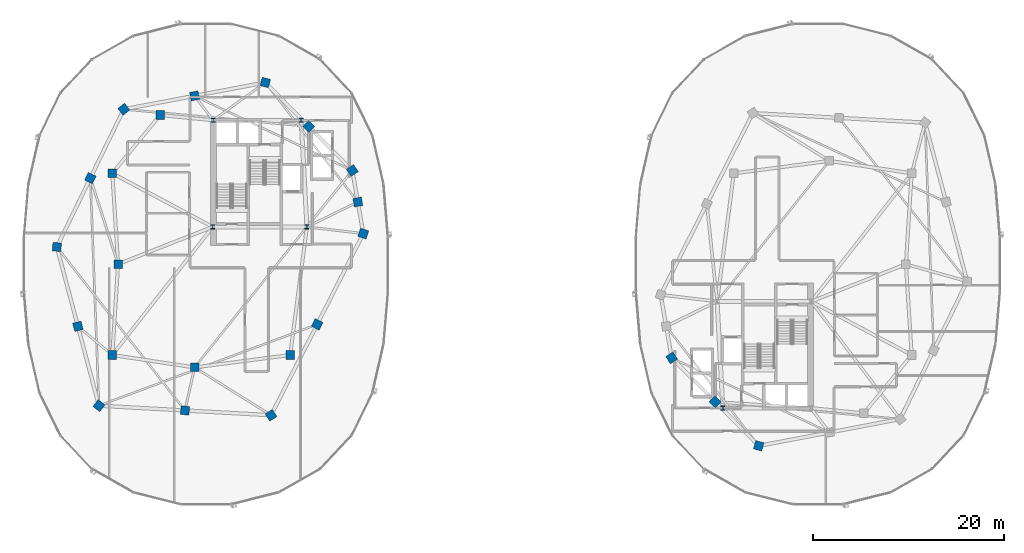
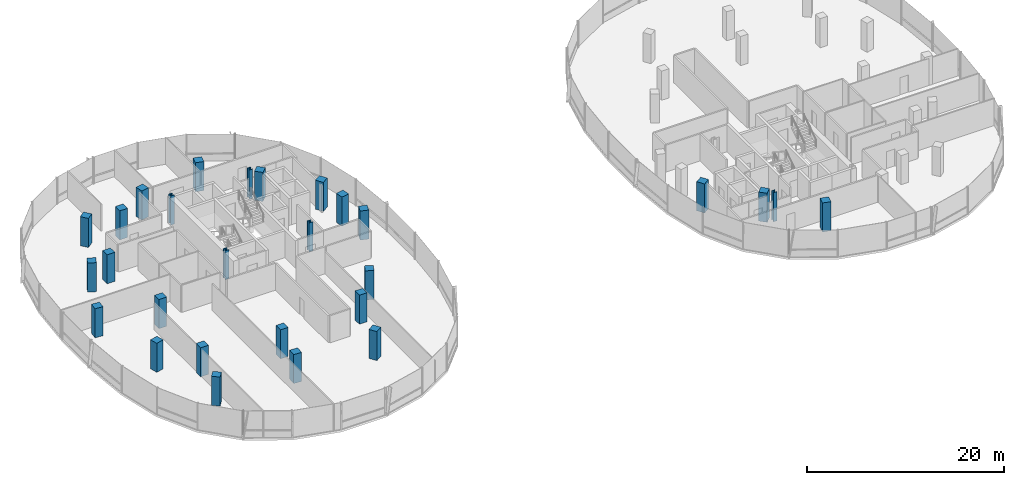
# One storey, part 1 of 25: 28 columns.
"""IFC4 building model written with IfcOpenShell, lengths in metres."""

import ifcopenshell
import ifcopenshell.guid

model = None  # the IFC model being written
_history = None  # IfcOwnerHistory: only IFC2X3 demands one
_inside = {}  # id of a spatial element -> (the spatial element, [elements in it])
_under = {}  # id of a project, library or spatial element -> (it, [spatial elements below it])
_declared = {}  # id of a project -> (the project, [libraries it declares])
_typed = {}  # id of a type object -> (the type object, [elements of that type])
_made_of = {}  # id of a material, layer set ... -> (it, [elements and type objects made of it])


def new_model(schema):
    """Start an empty IFC model of exactly this schema.

    Asked for "IFC4X3", IfcOpenShell would pick the latest addendum, in which some entities
    have other attributes; the version numbers below select the first issue.
    IFC2X3 requires an IfcOwnerHistory on every rooted entity: one is made here for all.
    """
    global model, _history
    if schema == "IFC4X3":
        model = ifcopenshell.file(schema_version=(4, 3, 0, 0))
    else:
        model = ifcopenshell.file(schema=schema)
    _inside.clear()
    _under.clear()
    _declared.clear()
    _typed.clear()
    _made_of.clear()
    _history = None
    if model.schema == "IFC2X3":
        org = make("IfcOrganization", Name="unknown")
        user = make(
            "IfcPersonAndOrganization",
            ThePerson=make("IfcPerson", FamilyName="unknown"),
            TheOrganization=org,
        )
        app = make(
            "IfcApplication",
            ApplicationDeveloper=org,
            Version="unknown",
            ApplicationFullName="unknown",
            ApplicationIdentifier="unknown",
        )
        _history = make(
            "IfcOwnerHistory",
            OwningUser=user,
            OwningApplication=app,
            ChangeAction="ADDED",
            CreationDate=0,
        )
    return model


def make(cls, **values):
    """One entity of the class cls with the attributes given. An attribute that is None is left unset."""
    return model.create_entity(
        cls, **{name: value for name, value in values.items() if value is not None}
    )


def rooted(cls, **values):
    """An entity with a GlobalId (a new one), such as an element, a storey or a relation."""
    return make(cls, GlobalId=ifcopenshell.guid.new(), OwnerHistory=_history, **values)


def si_unit(unit_type, name, prefix=None):
    """IfcSIUnit, for example si_unit("LENGTHUNIT", "METRE", prefix="MILLI")."""
    return make("IfcSIUnit", UnitType=unit_type, Prefix=prefix, Name=name)


def assignment(units):
    """IfcUnitAssignment: the units of a project."""
    return None if units is None else make("IfcUnitAssignment", Units=units)


def point(xyz):
    """IfcCartesianPoint."""
    return None if xyz is None else make("IfcCartesianPoint", Coordinates=xyz)


def direction(xyz):
    """IfcDirection."""
    return None if xyz is None else make("IfcDirection", DirectionRatios=xyz)


def frame(location, z_axis=None, x_axis=None):
    """IfcAxis2Placement3D, a coordinate frame: its origin and axes. An axis left out is left unset."""
    return make(
        "IfcAxis2Placement3D",
        Location=point(location),
        Axis=direction(z_axis),
        RefDirection=direction(x_axis),
    )


def frame_2d(location, x_axis=None):
    """IfcAxis2Placement2D, a coordinate frame in the plane: its origin and x axis."""
    return make(
        "IfcAxis2Placement2D", Location=point(location), RefDirection=direction(x_axis)
    )


def origin():
    """The frame at (0, 0, 0) with its axes left unset."""
    return frame((0.0, 0.0, 0.0))


def origin_2d():
    """The frame at (0, 0) in the plane with its x axis left unset."""
    return frame_2d((0.0, 0.0))


def place(relative_to, where):
    """IfcLocalPlacement: puts the frame where relative to a parent placement (None: the world)."""
    return make(
        "IfcLocalPlacement", PlacementRelTo=relative_to, RelativePlacement=where
    )


def context(
    kind, dimensions, precision=None, world=None, true_north=None, identifier=None
):
    """IfcGeometricRepresentationContext, for example the 3D "Model" context."""
    return make(
        "IfcGeometricRepresentationContext",
        ContextIdentifier=identifier,
        ContextType=kind,
        CoordinateSpaceDimension=dimensions,
        Precision=precision,
        WorldCoordinateSystem=world,
        TrueNorth=true_north,
    )


def subcontext(parent, identifier, kind, view, scale=None):
    """IfcGeometricRepresentationSubContext, for example "Body" below "Model"."""
    return make(
        "IfcGeometricRepresentationSubContext",
        ContextIdentifier=identifier,
        ContextType=kind,
        ParentContext=parent,
        TargetScale=scale,
        TargetView=view,
    )


def project(units=None, contexts=None):
    """IfcProject with its units and contexts."""
    return rooted(
        "IfcProject",
        Name="project",
        RepresentationContexts=contexts,
        UnitsInContext=assignment(units),
    )


def spatial(cls, under=None, at=None, **own):
    """A site, building, storey or space (cls), placed at a placement, below another one or the project."""
    s = rooted(cls, ObjectPlacement=at, **own)
    if under is not None:
        _under.setdefault(under.id(), (under, []))[1].append(s)
    return s


def profile(cls, at=None, kind="AREA", **sizes):
    """A parametric profile (cls). Its sizes go by their IFC names, for example OverallWidth=200.0."""
    return make(cls, ProfileType=kind, Position=at, **sizes)


def rectangle(**sizes):
    """IfcRectangleProfileDef."""
    return profile("IfcRectangleProfileDef", **sizes)


def i_section(**sizes):
    """IfcIShapeProfileDef."""
    return profile("IfcIShapeProfileDef", **sizes)


def extrude(swept, where, along, depth):
    """IfcExtrudedAreaSolid: the profile swept, set in the frame where, extruded along a direction by depth."""
    return make(
        "IfcExtrudedAreaSolid",
        SweptArea=swept,
        Position=where,
        ExtrudedDirection=direction(along),
        Depth=depth,
    )


def shape(context_of_items, identifier, shape_type, items):
    """IfcShapeRepresentation: the items that make up one representation, for example the "Body"."""
    return make(
        "IfcShapeRepresentation",
        ContextOfItems=context_of_items,
        RepresentationIdentifier=identifier,
        RepresentationType=shape_type,
        Items=items,
    )


def material(Name=None, Category=None):
    """IfcMaterial."""
    return make("IfcMaterial", Name=Name, Category=Category)


def material_profile(
    of_material, cross_section, Name=None, Category=None, Priority=None
):
    """IfcMaterialProfile: a cross section and its material."""
    return make(
        "IfcMaterialProfile",
        Name=Name,
        Material=of_material,
        Profile=cross_section,
        Priority=Priority,
        Category=Category,
    )


def profile_set(profiles, Name=None, composite=None):
    """IfcMaterialProfileSet."""
    return make(
        "IfcMaterialProfileSet",
        Name=Name,
        MaterialProfiles=profiles,
        CompositeProfile=composite,
    )


def made_of(thing, what):
    """Note that an element or type object is made of a material, layer set ...; save() writes the relation."""
    if what is not None:
        _made_of.setdefault(what.id(), (what, []))[1].append(thing)
    return thing


def type_object(cls, material=None, **own):
    """A type object (cls), such as IfcWallType, which elements share."""
    return made_of(rooted(cls, **own), material)


def element(
    cls,
    number,
    at=None,
    inside=None,
    cuts=None,
    type_object=None,
    material=None,
    context=None,
    identifier="Body",
    shape_type=None,
    held_by="IfcProductDefinitionShape",
    body=None,
    shapes=None,
    **own,
):
    """One element of the class cls, such as IfcWall. Its Tag is "e" and its number.

    at: its placement. inside: the storey or other place that contains it. cuts: it is an
    opening in that element (IfcRelVoidsElement). A single representation is given by context,
    identifier, shape_type and body (its items); several are given by shapes. held_by: the class
    of the entity that holds the representations. save() writes the other relations.
    """
    e = rooted(cls, Tag="e%d" % number, ObjectPlacement=at, **own)
    if body is not None:
        shapes = [shape(context, identifier, shape_type, body)]
    if shapes is not None:
        e.Representation = make(held_by, Representations=shapes)
    if inside is not None:
        _inside.setdefault(inside.id(), (inside, []))[1].append(e)
    if cuts is not None:
        rooted(
            "IfcRelVoidsElement", RelatingBuildingElement=cuts, RelatedOpeningElement=e
        )
    if type_object is not None:
        _typed.setdefault(type_object.id(), (type_object, []))[1].append(e)
    return made_of(e, material)


def aggregate(whole, parts):
    """IfcRelAggregates: a whole, such as a stair, and the parts it consists of."""
    return rooted("IfcRelAggregates", RelatingObject=whole, RelatedObjects=parts)


def save(model, path):
    """Write the relations noted so far, then the file.

    IfcRelAggregates (storeys below a building ...), IfcRelContainedInSpatialStructure (elements
    in a storey), IfcRelDefinesByType, IfcRelAssociatesMaterial and IfcRelDeclares: one each for
    every whole, place, type object, material and project.
    """
    for whole, parts in _under.values():
        aggregate(whole, parts)
    for where, things in _inside.values():
        rooted(
            "IfcRelContainedInSpatialStructure",
            RelatedElements=things,
            RelatingStructure=where,
        )
    for kind, things in _typed.values():
        rooted("IfcRelDefinesByType", RelatedObjects=things, RelatingType=kind)
    for what, things in _made_of.values():
        rooted("IfcRelAssociatesMaterial", RelatedObjects=things, RelatingMaterial=what)
    for by, libraries in _declared.values():
        rooted("IfcRelDeclares", RelatingContext=by, RelatedDefinitions=libraries)
    model.write(path)


model = new_model("IFC4")

# Units and contexts
model_context = context("Model", 3, precision=1e-05, world=origin(), true_north=direction((0.0, 1.0)))
body_context = subcontext(model_context, "Body", "Model", "MODEL_VIEW")
ifc_project = project(units=[si_unit("LENGTHUNIT", "METRE"), si_unit("AREAUNIT", "SQUARE_METRE"), si_unit("VOLUMEUNIT", "CUBIC_METRE"), si_unit("PLANEANGLEUNIT", "RADIAN"), si_unit("MASSUNIT", "GRAM", prefix="KILO"), si_unit("THERMODYNAMICTEMPERATUREUNIT", "KELVIN"), si_unit("POWERUNIT", "WATT")], contexts=[model_context])

# Site, building, storey
site_placement = place(None, origin())
site = spatial("IfcSite", under=ifc_project, at=site_placement, CompositionType="ELEMENT")
building_placement = place(site_placement, origin())
building = spatial("IfcBuilding", under=site, at=building_placement, Name="Cundina Bronze Exchange", CompositionType="ELEMENT")
storey_placement = place(building_placement, frame((0.0, 0.0, 195.39990234375)))
storey = spatial("IfcBuildingStorey", under=building, at=storey_placement, Name="L51", CompositionType="ELEMENT", Elevation=195.39990234375)

# Columns
ifc_material_1 = material(Name="Steel ASTM A992 Grade 50", Category="steel")
ifc_material_profile_1 = material_profile(ifc_material_1, i_section(OverallWidth=0.416015625, OverallDepth=0.446044921875, WebThickness=0.0390625, FlangeThickness=0.062744140625, FilletRadius=0.01806640625, at=origin_2d()), Name="W14X342", Category="steel")
ifc_profile_set_1 = profile_set([ifc_material_profile_1], Name="Steel ASTM A992 Grade 50")
column_type_1 = type_object("IfcColumnType", Name="COL-STL-W14B", PredefinedType="COLUMN", material=ifc_profile_set_1)
for number, where, z_axis, x_axis, name in (
    (1, (-31.300048828125, 3.89990234375, 0.0), (0.0, 0.0, 1.0), (1.0, 0.0, 0.0), "L51 Core Anchor Column W1"),
    (2, (-21.449951171875, 3.89990234375, 0.0), (0.0, 0.0, 1.0), (1.0, 0.0, 0.0), "L51 Core Anchor Column W2"),
    (3, (-22.050048828125, 15.050048828125, 0.0), (0.0, 0.0, 1.0), (1.0, 0.0, 0.0), "L51 Core Anchor Column W3"),
    (4, (-31.25, 15.050048828125, 0.0), (0.0, 0.0, 1.0), (1.0, 0.0, 0.0), "L51 Core Anchor Column W4"),
    (5, (22.050048828125, -15.050048828125, 0.0), (0.0, 0.0, 1.0), (1.0, 0.0, 0.0), "L51 Core Anchor Column E3"),
):
    element("IfcColumn", number, at=place(storey_placement, frame(where, z_axis=z_axis, x_axis=x_axis)), inside=storey, type_object=column_type_1, Name=name, PredefinedType="COLUMN", context=body_context, shape_type="SweptSolid", body=[
        extrude(i_section(OverallWidth=0.416015625, OverallDepth=0.446044921875, WebThickness=0.0390625, FlangeThickness=0.062744140625, FilletRadius=0.01806640625, at=origin_2d()), origin(), (0.0, 0.0, 1.0), 3.60009765625),
    ])
ifc_material_2 = material(Name="Concrete C50/60", Category="concrete")
ifc_material_profile_2 = material_profile(ifc_material_2, rectangle(XDim=0.89990234375, YDim=0.89990234375, at=origin_2d()), Name="RC900X900", Category="concrete")
ifc_profile_set_2 = profile_set([ifc_material_profile_2], Name="Concrete C50/60")
column_type_2 = type_object("IfcColumnType", Name="COL-Z4-900", PredefinedType="COLUMN", material=ifc_profile_set_2)
for number, where, z_axis, x_axis, name in (
    (6, (-41.199951171875, 0.0, 0.0), (0.0, 0.0, 1.0), (1.0, 0.0, 0.0), "L51 W Inner Ring Column 1"),
    (7, (-41.800048828125, 9.5, 0.0), (0.0, 0.0, 1.0), (1.0, 0.0, 0.0), "L51 W Inner Ring Column 2"),
    (8, (-36.800048828125, 15.60009765625, 0.0), (0.0, 0.0, 1.0), (1.0, 0.0, 0.0), "L51 W Inner Ring Column 3"),
    (9, (-41.800048828125, -9.5, 0.0), (0.0, 0.0, 1.0), (1.0, 0.0, 0.0), "L51 W Inner Ring Column 4"),
    (10, (-33.199951171875, -10.800048828125, 0.0), (0.0, 0.0, 1.0), (1.0, 0.0, 0.0), "L51 W Inner Ring Column 5"),
    (11, (-23.199951171875, -9.5, 0.0), (0.0, 0.0, 1.0), (1.0, 0.0, 0.0), "L51 W Inner Ring Column 6"),
    (12, (-15.550048828125, 3.199951171875, 0.0), (0.0, 0.0, 1.0), (0.315152163383, 0.949041155016, 0.0), "L51 W Perimeter Column 00"),
    (13, (-16.125, 6.5, 0.0), (0.0, 0.0, 1.0), (-0.171585221787, 0.985169280715, 0.0), "L51 W Perimeter Column 01"),
    (14, (-16.699951171875, 9.800048828125, 0.0), (0.0, 0.0, 1.0), (-0.544199833495, 0.838955625301, 0.0), "L51 W Perimeter Column 02"),
    (15, (-21.25, 14.39990234375, 0.0), (0.0, 0.0, 1.0), (-0.703270634186, 0.710922228581, 0.0), "L51 W Perimeter Column 03"),
    (16, (-25.800048828125, 19.0, 0.0), (0.0, 0.0, 1.0), (-0.965970984022, 0.258650455301, 0.0), "L51 W Perimeter Column 04"),
    (17, (-33.199951171875, 17.60009765625, 0.0), (0.0, 0.0, 1.0), (-0.98258037664, -0.185838110843, 0.0), "L51 W Perimeter Column 05"),
    (18, (-40.60009765625, 16.199951171875, 0.0), (0.0, 0.0, 1.0), (-0.785100778485, -0.619368038909, 0.0), "L51 W Perimeter Column 06"),
    (19, (-44.10009765625, 9.0, 0.0), (0.0, 0.0, 1.0), (-0.437115766651, -0.899405251566, 0.0), "L51 W Perimeter Column 07"),
    (20, (-47.60009765625, 1.800048828125, 0.0), (0.0, 0.0, 1.0), (-0.083503921245, -0.996507448611, 0.0), "L51 W Perimeter Column 08"),
    (21, (-45.39990234375, -6.5, 0.0), (0.0, 0.0, 1.0), (0.256289373133, -0.966600102017, 0.0), "L51 W Perimeter Column 09"),
    (22, (-43.199951171875, -14.800048828125, 0.0), (0.0, 0.0, 1.0), (0.786288432137, -0.61785961309, 0.0), "L51 W Perimeter Column 10"),
    (23, (-34.199951171875, -15.300048828125, 0.0), (0.0, 0.0, 1.0), (0.998460188734, -0.055472980025, 0.0), "L51 W Perimeter Column 11"),
    (24, (-25.199951171875, -15.800048828125, 0.0), (0.0, 0.0, 1.0), (0.838099763533, 0.545516989988, 0.0), "L51 W Perimeter Column 12"),
    (25, (-20.375, -6.300048828125, 0.0), (0.0, 0.0, 1.0), (0.452901591366, 0.891560513111, 0.0), "L51 W Perimeter Column 13"),
    (26, (16.699951171875, -9.800048828125, 0.0), (0.0, 0.0, 1.0), (0.544199833495, -0.838955625301, 0.0), "L51 E Perimeter Column 02"),
    (27, (21.25, -14.39990234375, 0.0), (0.0, 0.0, 1.0), (0.703270634186, -0.710922228581, 0.0), "L51 E Perimeter Column 03"),
    (28, (25.800048828125, -19.0, 0.0), (0.0, 0.0, 1.0), (0.965970984022, -0.258650455301, 0.0), "L51 E Perimeter Column 04"),
):
    element("IfcColumn", number, at=place(storey_placement, frame(where, z_axis=z_axis, x_axis=x_axis)), inside=storey, type_object=column_type_2, Name=name, PredefinedType="COLUMN", context=body_context, shape_type="SweptSolid", body=[
        extrude(rectangle(XDim=0.89990234375, YDim=0.89990234375, at=origin_2d()), origin(), (0.0, 0.0, 1.0), 3.60009765625),
    ])

save(model, "model.ifc")
